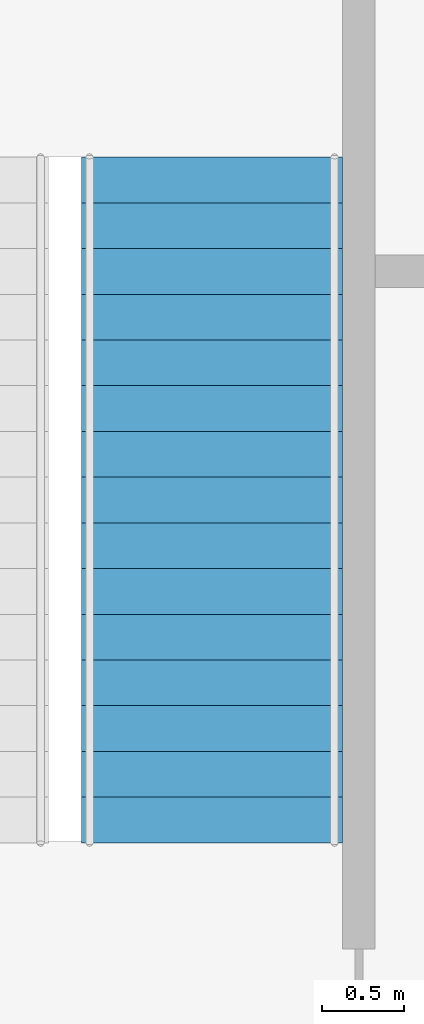
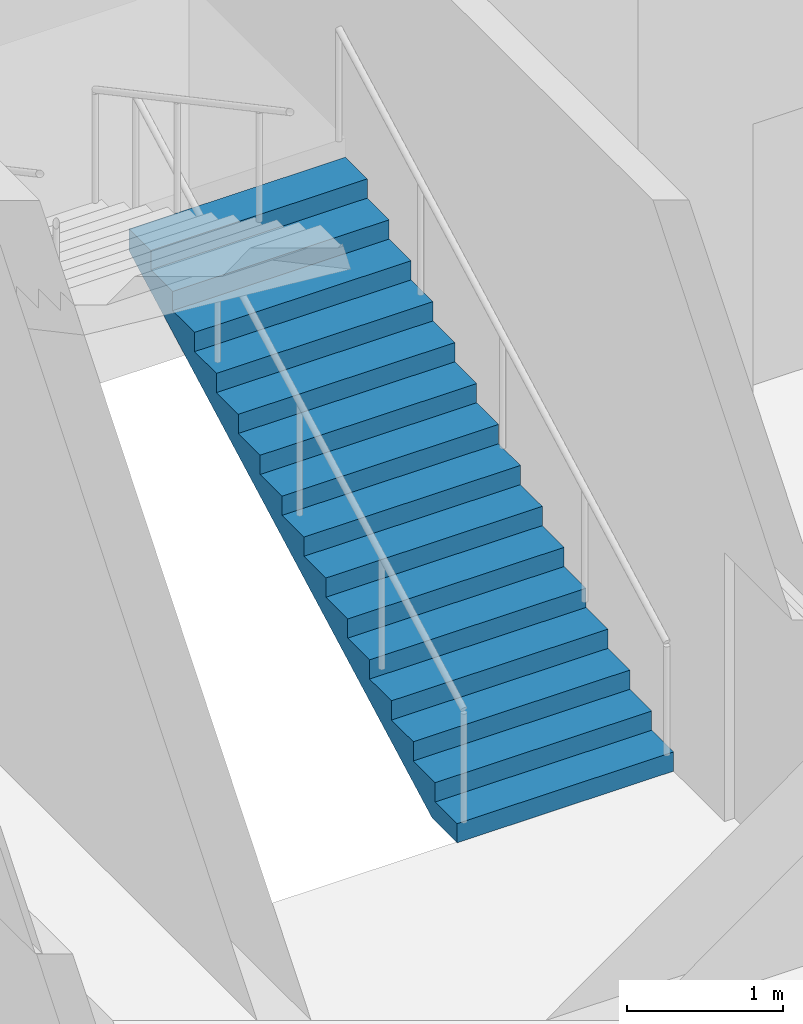
# One storey, part 46 of 53: 1 stair flight, 1 element without a shape of its own.
"""IFC4 building model written with IfcOpenShell, lengths in metres."""

import ifcopenshell
import ifcopenshell.guid

model = None  # the IFC model being written
_history = None  # IfcOwnerHistory: only IFC2X3 demands one
_inside = {}  # id of a spatial element -> (the spatial element, [elements in it])
_under = {}  # id of a project, library or spatial element -> (it, [spatial elements below it])
_declared = {}  # id of a project -> (the project, [libraries it declares])
_typed = {}  # id of a type object -> (the type object, [elements of that type])
_made_of = {}  # id of a material, layer set ... -> (it, [elements and type objects made of it])


def new_model(schema):
    """Start an empty IFC model of exactly this schema.

    Asked for "IFC4X3", IfcOpenShell would pick the latest addendum, in which some entities
    have other attributes; the version numbers below select the first issue.
    IFC2X3 requires an IfcOwnerHistory on every rooted entity: one is made here for all.
    """
    global model, _history
    if schema == "IFC4X3":
        model = ifcopenshell.file(schema_version=(4, 3, 0, 0))
    else:
        model = ifcopenshell.file(schema=schema)
    _inside.clear()
    _under.clear()
    _declared.clear()
    _typed.clear()
    _made_of.clear()
    _history = None
    if model.schema == "IFC2X3":
        org = make("IfcOrganization", Name="unknown")
        user = make(
            "IfcPersonAndOrganization",
            ThePerson=make("IfcPerson", FamilyName="unknown"),
            TheOrganization=org,
        )
        app = make(
            "IfcApplication",
            ApplicationDeveloper=org,
            Version="unknown",
            ApplicationFullName="unknown",
            ApplicationIdentifier="unknown",
        )
        _history = make(
            "IfcOwnerHistory",
            OwningUser=user,
            OwningApplication=app,
            ChangeAction="ADDED",
            CreationDate=0,
        )
    return model


def make(cls, **values):
    """One entity of the class cls with the attributes given. An attribute that is None is left unset."""
    return model.create_entity(
        cls, **{name: value for name, value in values.items() if value is not None}
    )


def rooted(cls, **values):
    """An entity with a GlobalId (a new one), such as an element, a storey or a relation."""
    return make(cls, GlobalId=ifcopenshell.guid.new(), OwnerHistory=_history, **values)


def si_unit(unit_type, name, prefix=None):
    """IfcSIUnit, for example si_unit("LENGTHUNIT", "METRE", prefix="MILLI")."""
    return make("IfcSIUnit", UnitType=unit_type, Prefix=prefix, Name=name)


def assignment(units):
    """IfcUnitAssignment: the units of a project."""
    return None if units is None else make("IfcUnitAssignment", Units=units)


def point(xyz):
    """IfcCartesianPoint."""
    return None if xyz is None else make("IfcCartesianPoint", Coordinates=xyz)


def direction(xyz):
    """IfcDirection."""
    return None if xyz is None else make("IfcDirection", DirectionRatios=xyz)


def frame(location, z_axis=None, x_axis=None):
    """IfcAxis2Placement3D, a coordinate frame: its origin and axes. An axis left out is left unset."""
    return make(
        "IfcAxis2Placement3D",
        Location=point(location),
        Axis=direction(z_axis),
        RefDirection=direction(x_axis),
    )


def origin():
    """The frame at (0, 0, 0) with its axes left unset."""
    return frame((0.0, 0.0, 0.0))


def place(relative_to, where):
    """IfcLocalPlacement: puts the frame where relative to a parent placement (None: the world)."""
    return make(
        "IfcLocalPlacement", PlacementRelTo=relative_to, RelativePlacement=where
    )


def context(
    kind, dimensions, precision=None, world=None, true_north=None, identifier=None
):
    """IfcGeometricRepresentationContext, for example the 3D "Model" context."""
    return make(
        "IfcGeometricRepresentationContext",
        ContextIdentifier=identifier,
        ContextType=kind,
        CoordinateSpaceDimension=dimensions,
        Precision=precision,
        WorldCoordinateSystem=world,
        TrueNorth=true_north,
    )


def subcontext(parent, identifier, kind, view, scale=None):
    """IfcGeometricRepresentationSubContext, for example "Body" below "Model"."""
    return make(
        "IfcGeometricRepresentationSubContext",
        ContextIdentifier=identifier,
        ContextType=kind,
        ParentContext=parent,
        TargetScale=scale,
        TargetView=view,
    )


def project(units=None, contexts=None):
    """IfcProject with its units and contexts."""
    return rooted(
        "IfcProject",
        Name="project",
        RepresentationContexts=contexts,
        UnitsInContext=assignment(units),
    )


def spatial(cls, under=None, at=None, **own):
    """A site, building, storey or space (cls), placed at a placement, below another one or the project."""
    s = rooted(cls, ObjectPlacement=at, **own)
    if under is not None:
        _under.setdefault(under.id(), (under, []))[1].append(s)
    return s


def point_list(points):
    """IfcCartesianPointList2D or 3D."""
    cls = (
        "IfcCartesianPointList2D" if len(points[0]) == 2 else "IfcCartesianPointList3D"
    )
    return make(cls, CoordList=points)


def triangles(points, corners, closed=None, point_numbers=None):
    """IfcTriangulatedFaceSet: each triangle names its three corners, points numbered from 1."""
    return make(
        "IfcTriangulatedFaceSet",
        Coordinates=point_list(points),
        Closed=closed,
        CoordIndex=corners,
        PnIndex=point_numbers,
    )


def shape(context_of_items, identifier, shape_type, items):
    """IfcShapeRepresentation: the items that make up one representation, for example the "Body"."""
    return make(
        "IfcShapeRepresentation",
        ContextOfItems=context_of_items,
        RepresentationIdentifier=identifier,
        RepresentationType=shape_type,
        Items=items,
    )


def material(Name=None, Category=None):
    """IfcMaterial."""
    return make("IfcMaterial", Name=Name, Category=Category)


def made_of(thing, what):
    """Note that an element or type object is made of a material, layer set ...; save() writes the relation."""
    if what is not None:
        _made_of.setdefault(what.id(), (what, []))[1].append(thing)
    return thing


def type_object(cls, material=None, **own):
    """A type object (cls), such as IfcWallType, which elements share."""
    return made_of(rooted(cls, **own), material)


def element(
    cls,
    number,
    at=None,
    inside=None,
    cuts=None,
    type_object=None,
    material=None,
    context=None,
    identifier="Body",
    shape_type=None,
    held_by="IfcProductDefinitionShape",
    body=None,
    shapes=None,
    **own,
):
    """One element of the class cls, such as IfcWall. Its Tag is "e" and its number.

    at: its placement. inside: the storey or other place that contains it. cuts: it is an
    opening in that element (IfcRelVoidsElement). A single representation is given by context,
    identifier, shape_type and body (its items); several are given by shapes. held_by: the class
    of the entity that holds the representations. save() writes the other relations.
    """
    e = rooted(cls, Tag="e%d" % number, ObjectPlacement=at, **own)
    if body is not None:
        shapes = [shape(context, identifier, shape_type, body)]
    if shapes is not None:
        e.Representation = make(held_by, Representations=shapes)
    if inside is not None:
        _inside.setdefault(inside.id(), (inside, []))[1].append(e)
    if cuts is not None:
        rooted(
            "IfcRelVoidsElement", RelatingBuildingElement=cuts, RelatedOpeningElement=e
        )
    if type_object is not None:
        _typed.setdefault(type_object.id(), (type_object, []))[1].append(e)
    return made_of(e, material)


def aggregate(whole, parts):
    """IfcRelAggregates: a whole, such as a stair, and the parts it consists of."""
    return rooted("IfcRelAggregates", RelatingObject=whole, RelatedObjects=parts)


def save(model, path):
    """Write the relations noted so far, then the file.

    IfcRelAggregates (storeys below a building ...), IfcRelContainedInSpatialStructure (elements
    in a storey), IfcRelDefinesByType, IfcRelAssociatesMaterial and IfcRelDeclares: one each for
    every whole, place, type object, material and project.
    """
    for whole, parts in _under.values():
        aggregate(whole, parts)
    for where, things in _inside.values():
        rooted(
            "IfcRelContainedInSpatialStructure",
            RelatedElements=things,
            RelatingStructure=where,
        )
    for kind, things in _typed.values():
        rooted("IfcRelDefinesByType", RelatedObjects=things, RelatingType=kind)
    for what, things in _made_of.values():
        rooted("IfcRelAssociatesMaterial", RelatedObjects=things, RelatingMaterial=what)
    for by, libraries in _declared.values():
        rooted("IfcRelDeclares", RelatingContext=by, RelatedDefinitions=libraries)
    model.write(path)


model = new_model("IFC4")

# Units and contexts
model_context = context("Model", 3, precision=1e-05, world=origin(), true_north=direction((0.0, 1.0)))
body_context = subcontext(model_context, "Body", "Model", "MODEL_VIEW")
ifc_project = project(units=[si_unit("LENGTHUNIT", "METRE"), si_unit("AREAUNIT", "SQUARE_METRE"), si_unit("VOLUMEUNIT", "CUBIC_METRE"), si_unit("PLANEANGLEUNIT", "RADIAN"), si_unit("MASSUNIT", "GRAM", prefix="KILO")], contexts=[model_context])

# Site, building, storey
site_placement = place(None, origin())
site = spatial("IfcSite", under=ifc_project, at=site_placement, CompositionType="ELEMENT")
building_placement = place(site_placement, origin())
building = spatial("IfcBuilding", under=site, at=building_placement, Name="Hakoniwa Tower and Hamabe Station Hall", CompositionType="ELEMENT")
storey_placement = place(building_placement, frame((0.0, 0.0, 15.0)))
storey = spatial("IfcBuildingStorey", under=building, at=storey_placement, Name="L03", CompositionType="ELEMENT", Elevation=15.0)

# Stair, stair flight
ifc_material_1 = material(Name="Concrete C40", Category="concrete")
stair_type = type_object("IfcStairType", Name="STAIR 1600 16X150", PredefinedType="HALF_TURN_STAIR", material=ifc_material_1)
stair_placement = place(storey_placement, origin())
stair = element("IfcStair", 1, at=stair_placement, inside=storey, type_object=stair_type, Name="Escape stair SS1 L03", PredefinedType="HALF_TURN_STAIR")
ifc_material_2 = material(Name="Concrete C40", Category="concrete")
stair_flight_type = type_object("IfcStairFlightType", Name="STAIR FLIGHT 1600", PredefinedType="STRAIGHT", material=ifc_material_2)
stair_flight_placement = place(storey_placement, frame((89.25, 16.89990234375, 0.0), z_axis=(0.0, 0.0, 1.0), x_axis=(0.0, 1.0, 0.0)))
stair_flight = element("IfcStairFlight", 2, at=stair_flight_placement, type_object=stair_flight_type, Name="SS1 flight 1", NumberOfRisers=16, NumberOfTreads=15, PredefinedType="STRAIGHT", RiserHeight=0.15, TreadLength=0.28, context=body_context, shape_type="Tessellation", body=[
    triangles([(0.0, 0.800048828125, 0.0), (0.280029296875, 0.800048828125, 0.0), (0.3173828125, 0.800048828125, 0.0), (0.56005859375, 0.800048828125, 0.1298828125), (0.840087890625, 0.800048828125, 0.280029296875), (1.1201171875, 0.800048828125, 0.429931640625), (1.39990234375, 0.800048828125, 0.579833984375), (1.679931640625, 0.800048828125, 0.72998046875), (1.9599609375, 0.800048828125, 0.8798828125), (2.239990234375, 0.800048828125, 1.030029296875), (2.52001953125, 0.800048828125, 1.179931640625), (2.800048828125, 0.800048828125, 1.329833984375), (3.080078125, 0.800048828125, 1.47998046875), (3.360107421875, 0.800048828125, 1.6298828125), (3.639892578125, 0.800048828125, 1.780029296875), (3.919921875, 0.800048828125, 1.929931640625), (4.199951171875, 0.800048828125, 2.079833984375), (4.199951171875, 0.800048828125, 2.25), (3.919921875, 0.800048828125, 2.25), (3.919921875, 0.800048828125, 2.10009765625), (3.639892578125, 0.800048828125, 2.10009765625), (3.639892578125, 0.800048828125, 1.949951171875), (3.360107421875, 0.800048828125, 1.949951171875), (3.360107421875, 0.800048828125, 1.800048828125), (3.080078125, 0.800048828125, 1.800048828125), (3.080078125, 0.800048828125, 1.64990234375), (2.800048828125, 0.800048828125, 1.64990234375), (2.800048828125, 0.800048828125, 1.5), (2.52001953125, 0.800048828125, 1.5), (2.52001953125, 0.800048828125, 1.35009765625), (2.239990234375, 0.800048828125, 1.35009765625), (2.239990234375, 0.800048828125, 1.199951171875), (1.9599609375, 0.800048828125, 1.199951171875), (1.9599609375, 0.800048828125, 1.050048828125), (1.679931640625, 0.800048828125, 1.050048828125), (1.679931640625, 0.800048828125, 0.89990234375), (1.39990234375, 0.800048828125, 0.89990234375), (1.39990234375, 0.800048828125, 0.75), (1.1201171875, 0.800048828125, 0.75), (1.1201171875, 0.800048828125, 0.60009765625), (0.840087890625, 0.800048828125, 0.60009765625), (0.840087890625, 0.800048828125, 0.449951171875), (0.56005859375, 0.800048828125, 0.449951171875), (0.56005859375, 0.800048828125, 0.300048828125), (0.3173828125, 0.800048828125, 0.300048828125), (0.280029296875, 0.800048828125, 0.300048828125), (0.280029296875, 0.800048828125, 0.14990234375), (0.0, 0.800048828125, 0.14990234375), (0.0, 0.06005859375, 0.0), (0.280029296875, 0.06005859375, 0.0), (0.3173828125, 0.06005859375, 0.0), (0.56005859375, 0.06005859375, 0.1298828125), (0.840087890625, 0.06005859375, 0.280029296875), (1.1201171875, 0.06005859375, 0.429931640625), (1.39990234375, 0.06005859375, 0.579833984375), (1.679931640625, 0.06005859375, 0.72998046875), (1.9599609375, 0.06005859375, 0.8798828125), (2.239990234375, 0.06005859375, 1.030029296875), (2.52001953125, 0.06005859375, 1.179931640625), (2.800048828125, 0.06005859375, 1.329833984375), (3.080078125, 0.06005859375, 1.47998046875), (3.360107421875, 0.06005859375, 1.6298828125), (3.639892578125, 0.06005859375, 1.780029296875), (3.919921875, 0.06005859375, 1.929931640625), (4.199951171875, 0.06005859375, 2.079833984375), (4.199951171875, 0.06005859375, 2.25), (3.919921875, 0.06005859375, 2.25), (3.919921875, 0.06005859375, 2.10009765625), (3.639892578125, 0.06005859375, 2.10009765625), (3.639892578125, 0.06005859375, 1.949951171875), (3.360107421875, 0.06005859375, 1.949951171875), (3.360107421875, 0.06005859375, 1.800048828125), (3.080078125, 0.06005859375, 1.800048828125), (3.080078125, 0.06005859375, 1.64990234375), (2.800048828125, 0.06005859375, 1.64990234375), (2.800048828125, 0.06005859375, 1.5), (2.52001953125, 0.06005859375, 1.5), (2.52001953125, 0.06005859375, 1.35009765625), (2.239990234375, 0.06005859375, 1.35009765625), (2.239990234375, 0.06005859375, 1.199951171875), (1.9599609375, 0.06005859375, 1.199951171875), (1.9599609375, 0.06005859375, 1.050048828125), (1.679931640625, 0.06005859375, 1.050048828125), (1.679931640625, 0.06005859375, 0.89990234375), (1.39990234375, 0.06005859375, 0.89990234375), (1.39990234375, 0.06005859375, 0.75), (1.1201171875, 0.06005859375, 0.75), (1.1201171875, 0.06005859375, 0.60009765625), (0.840087890625, 0.06005859375, 0.60009765625), (0.840087890625, 0.06005859375, 0.449951171875), (0.56005859375, 0.06005859375, 0.449951171875), (0.56005859375, 0.06005859375, 0.300048828125), (0.3173828125, 0.06005859375, 0.300048828125), (0.280029296875, 0.06005859375, 0.300048828125), (0.280029296875, 0.06005859375, 0.14990234375), (0.0, 0.06005859375, 0.14990234375), (0.0, 0.02001953125, 0.0), (0.280029296875, 0.02001953125, 0.0), (0.3173828125, 0.02001953125, 0.0), (0.56005859375, 0.02001953125, 0.1298828125), (0.840087890625, 0.02001953125, 0.280029296875), (1.1201171875, 0.02001953125, 0.429931640625), (1.39990234375, 0.02001953125, 0.579833984375), (1.679931640625, 0.02001953125, 0.72998046875), (1.9599609375, 0.02001953125, 0.8798828125), (2.239990234375, 0.02001953125, 1.030029296875), (2.52001953125, 0.02001953125, 1.179931640625), (2.800048828125, 0.02001953125, 1.329833984375), (3.080078125, 0.02001953125, 1.47998046875), (3.360107421875, 0.02001953125, 1.6298828125), (3.639892578125, 0.02001953125, 1.780029296875), (3.919921875, 0.02001953125, 1.929931640625), (4.199951171875, 0.02001953125, 2.079833984375), (4.199951171875, 0.02001953125, 2.25), (3.919921875, 0.02001953125, 2.25), (3.919921875, 0.02001953125, 2.10009765625), (3.639892578125, 0.02001953125, 2.10009765625), (3.639892578125, 0.02001953125, 1.949951171875), (3.360107421875, 0.02001953125, 1.949951171875), (3.360107421875, 0.02001953125, 1.800048828125), (3.080078125, 0.02001953125, 1.800048828125), (3.080078125, 0.02001953125, 1.64990234375), (2.800048828125, 0.02001953125, 1.64990234375), (2.800048828125, 0.02001953125, 1.5), (2.52001953125, 0.02001953125, 1.5), (2.52001953125, 0.02001953125, 1.35009765625), (2.239990234375, 0.02001953125, 1.35009765625), (2.239990234375, 0.02001953125, 1.199951171875), (1.9599609375, 0.02001953125, 1.199951171875), (1.9599609375, 0.02001953125, 1.050048828125), (1.679931640625, 0.02001953125, 1.050048828125), (1.679931640625, 0.02001953125, 0.89990234375), (1.39990234375, 0.02001953125, 0.89990234375), (1.39990234375, 0.02001953125, 0.75), (1.1201171875, 0.02001953125, 0.75), (1.1201171875, 0.02001953125, 0.60009765625), (0.840087890625, 0.02001953125, 0.60009765625), (0.840087890625, 0.02001953125, 0.449951171875), (0.56005859375, 0.02001953125, 0.449951171875), (0.56005859375, 0.02001953125, 0.300048828125), (0.3173828125, 0.02001953125, 0.300048828125), (0.280029296875, 0.02001953125, 0.300048828125), (0.280029296875, 0.02001953125, 0.14990234375), (0.0, 0.02001953125, 0.14990234375), (0.0, -0.02001953125, 0.0), (0.280029296875, -0.02001953125, 0.0), (0.3173828125, -0.02001953125, 0.0), (0.56005859375, -0.02001953125, 0.1298828125), (0.840087890625, -0.02001953125, 0.280029296875), (1.1201171875, -0.02001953125, 0.429931640625), (1.39990234375, -0.02001953125, 0.579833984375), (1.679931640625, -0.02001953125, 0.72998046875), (1.9599609375, -0.02001953125, 0.8798828125), (2.239990234375, -0.02001953125, 1.030029296875), (2.52001953125, -0.02001953125, 1.179931640625), (2.800048828125, -0.02001953125, 1.329833984375), (3.080078125, -0.02001953125, 1.47998046875), (3.360107421875, -0.02001953125, 1.6298828125), (3.639892578125, -0.02001953125, 1.780029296875), (3.919921875, -0.02001953125, 1.929931640625), (4.199951171875, -0.02001953125, 2.079833984375), (4.199951171875, -0.02001953125, 2.25), (3.919921875, -0.02001953125, 2.25), (3.919921875, -0.02001953125, 2.10009765625), (3.639892578125, -0.02001953125, 2.10009765625), (3.639892578125, -0.02001953125, 1.949951171875), (3.360107421875, -0.02001953125, 1.949951171875), (3.360107421875, -0.02001953125, 1.800048828125), (3.080078125, -0.02001953125, 1.800048828125), (3.080078125, -0.02001953125, 1.64990234375), (2.800048828125, -0.02001953125, 1.64990234375), (2.800048828125, -0.02001953125, 1.5), (2.52001953125, -0.02001953125, 1.5), (2.52001953125, -0.02001953125, 1.35009765625), (2.239990234375, -0.02001953125, 1.35009765625), (2.239990234375, -0.02001953125, 1.199951171875), (1.9599609375, -0.02001953125, 1.199951171875), (1.9599609375, -0.02001953125, 1.050048828125), (1.679931640625, -0.02001953125, 1.050048828125), (1.679931640625, -0.02001953125, 0.89990234375), (1.39990234375, -0.02001953125, 0.89990234375), (1.39990234375, -0.02001953125, 0.75), (1.1201171875, -0.02001953125, 0.75), (1.1201171875, -0.02001953125, 0.60009765625), (0.840087890625, -0.02001953125, 0.60009765625), (0.840087890625, -0.02001953125, 0.449951171875), (0.56005859375, -0.02001953125, 0.449951171875), (0.56005859375, -0.02001953125, 0.300048828125), (0.3173828125, -0.02001953125, 0.300048828125), (0.280029296875, -0.02001953125, 0.300048828125), (0.280029296875, -0.02001953125, 0.14990234375), (0.0, -0.02001953125, 0.14990234375), (0.0, -0.06005859375, 0.0), (0.280029296875, -0.06005859375, 0.0), (0.3173828125, -0.06005859375, 0.0), (0.56005859375, -0.06005859375, 0.1298828125), (0.840087890625, -0.06005859375, 0.280029296875), (1.1201171875, -0.06005859375, 0.429931640625), (1.39990234375, -0.06005859375, 0.579833984375), (1.679931640625, -0.06005859375, 0.72998046875), (1.9599609375, -0.06005859375, 0.8798828125), (2.239990234375, -0.06005859375, 1.030029296875), (2.52001953125, -0.06005859375, 1.179931640625), (2.800048828125, -0.06005859375, 1.329833984375), (3.080078125, -0.06005859375, 1.47998046875), (3.360107421875, -0.06005859375, 1.6298828125), (3.639892578125, -0.06005859375, 1.780029296875), (3.919921875, -0.06005859375, 1.929931640625), (4.199951171875, -0.06005859375, 2.079833984375), (4.199951171875, -0.06005859375, 2.25), (3.919921875, -0.06005859375, 2.25), (3.919921875, -0.06005859375, 2.10009765625), (3.639892578125, -0.06005859375, 2.10009765625), (3.639892578125, -0.06005859375, 1.949951171875), (3.360107421875, -0.06005859375, 1.949951171875), (3.360107421875, -0.06005859375, 1.800048828125), (3.080078125, -0.06005859375, 1.800048828125), (3.080078125, -0.06005859375, 1.64990234375), (2.800048828125, -0.06005859375, 1.64990234375), (2.800048828125, -0.06005859375, 1.5), (2.52001953125, -0.06005859375, 1.5), (2.52001953125, -0.06005859375, 1.35009765625), (2.239990234375, -0.06005859375, 1.35009765625), (2.239990234375, -0.06005859375, 1.199951171875), (1.9599609375, -0.06005859375, 1.199951171875), (1.9599609375, -0.06005859375, 1.050048828125), (1.679931640625, -0.06005859375, 1.050048828125), (1.679931640625, -0.06005859375, 0.89990234375), (1.39990234375, -0.06005859375, 0.89990234375), (1.39990234375, -0.06005859375, 0.75), (1.1201171875, -0.06005859375, 0.75), (1.1201171875, -0.06005859375, 0.60009765625), (0.840087890625, -0.06005859375, 0.60009765625), (0.840087890625, -0.06005859375, 0.449951171875), (0.56005859375, -0.06005859375, 0.449951171875), (0.56005859375, -0.06005859375, 0.300048828125), (0.3173828125, -0.06005859375, 0.300048828125), (0.280029296875, -0.06005859375, 0.300048828125), (0.280029296875, -0.06005859375, 0.14990234375), (0.0, -0.06005859375, 0.14990234375), (0.0, -0.800048828125, 0.0), (0.280029296875, -0.800048828125, 0.0), (0.3173828125, -0.800048828125, 0.0), (0.56005859375, -0.800048828125, 0.1298828125), (0.840087890625, -0.800048828125, 0.280029296875), (1.1201171875, -0.800048828125, 0.429931640625), (1.39990234375, -0.800048828125, 0.579833984375), (1.679931640625, -0.800048828125, 0.72998046875), (1.9599609375, -0.800048828125, 0.8798828125), (2.239990234375, -0.800048828125, 1.030029296875), (2.52001953125, -0.800048828125, 1.179931640625), (2.800048828125, -0.800048828125, 1.329833984375), (3.080078125, -0.800048828125, 1.47998046875), (3.360107421875, -0.800048828125, 1.6298828125), (3.639892578125, -0.800048828125, 1.780029296875), (3.919921875, -0.800048828125, 1.929931640625), (4.199951171875, -0.800048828125, 2.079833984375), (4.199951171875, -0.800048828125, 2.25), (3.919921875, -0.800048828125, 2.25), (3.919921875, -0.800048828125, 2.10009765625), (3.639892578125, -0.800048828125, 2.10009765625), (3.639892578125, -0.800048828125, 1.949951171875), (3.360107421875, -0.800048828125, 1.949951171875), (3.360107421875, -0.800048828125, 1.800048828125), (3.080078125, -0.800048828125, 1.800048828125), (3.080078125, -0.800048828125, 1.64990234375), (2.800048828125, -0.800048828125, 1.64990234375), (2.800048828125, -0.800048828125, 1.5), (2.52001953125, -0.800048828125, 1.5), (2.52001953125, -0.800048828125, 1.35009765625), (2.239990234375, -0.800048828125, 1.35009765625), (2.239990234375, -0.800048828125, 1.199951171875), (1.9599609375, -0.800048828125, 1.199951171875), (1.9599609375, -0.800048828125, 1.050048828125), (1.679931640625, -0.800048828125, 1.050048828125), (1.679931640625, -0.800048828125, 0.89990234375), (1.39990234375, -0.800048828125, 0.89990234375), (1.39990234375, -0.800048828125, 0.75), (1.1201171875, -0.800048828125, 0.75), (1.1201171875, -0.800048828125, 0.60009765625), (0.840087890625, -0.800048828125, 0.60009765625), (0.840087890625, -0.800048828125, 0.449951171875), (0.56005859375, -0.800048828125, 0.449951171875), (0.56005859375, -0.800048828125, 0.300048828125), (0.3173828125, -0.800048828125, 0.300048828125), (0.280029296875, -0.800048828125, 0.300048828125), (0.280029296875, -0.800048828125, 0.14990234375), (0.0, -0.800048828125, 0.14990234375)], [[2, 48, 47], [242, 287, 288], [2, 1, 48], [242, 288, 241], [3, 46, 45], [243, 285, 286], [3, 47, 46], [243, 286, 287], [3, 2, 47], [243, 287, 242], [4, 45, 44], [244, 284, 285], [4, 3, 45], [244, 285, 243], [5, 43, 42], [245, 282, 283], [5, 44, 43], [245, 283, 284], [5, 4, 44], [245, 284, 244], [6, 41, 40], [246, 280, 281], [6, 42, 41], [246, 281, 282], [6, 5, 42], [246, 282, 245], [7, 39, 38], [247, 278, 279], [7, 40, 39], [247, 279, 280], [7, 6, 40], [247, 280, 246], [8, 37, 36], [248, 276, 277], [8, 38, 37], [248, 277, 278], [8, 7, 38], [248, 278, 247], [9, 35, 34], [249, 274, 275], [9, 36, 35], [249, 275, 276], [9, 8, 36], [249, 276, 248], [10, 33, 32], [250, 272, 273], [10, 34, 33], [250, 273, 274], [10, 9, 34], [250, 274, 249], [11, 31, 30], [251, 270, 271], [11, 32, 31], [251, 271, 272], [11, 10, 32], [251, 272, 250], [12, 29, 28], [252, 268, 269], [12, 30, 29], [252, 269, 270], [12, 11, 30], [252, 270, 251], [13, 27, 26], [253, 266, 267], [13, 28, 27], [253, 267, 268], [13, 12, 28], [253, 268, 252], [14, 25, 24], [254, 264, 265], [14, 26, 25], [254, 265, 266], [14, 13, 26], [254, 266, 253], [15, 23, 22], [255, 262, 263], [15, 24, 23], [255, 263, 264], [15, 14, 24], [255, 264, 254], [16, 21, 20], [256, 260, 261], [16, 22, 21], [256, 261, 262], [16, 15, 22], [256, 262, 255], [17, 19, 18], [257, 258, 259], [17, 20, 19], [257, 259, 260], [17, 16, 20], [257, 260, 256], [1, 2, 50], [1, 50, 49], [49, 50, 98], [49, 98, 97], [97, 98, 146], [97, 146, 145], [145, 146, 194], [145, 194, 193], [193, 194, 242], [193, 242, 241], [2, 3, 51], [2, 51, 50], [50, 51, 99], [50, 99, 98], [98, 99, 147], [98, 147, 146], [146, 147, 195], [146, 195, 194], [194, 195, 243], [194, 243, 242], [3, 4, 52], [3, 52, 51], [51, 52, 100], [51, 100, 99], [99, 100, 148], [99, 148, 147], [147, 148, 196], [147, 196, 195], [195, 196, 244], [195, 244, 243], [4, 5, 53], [4, 53, 52], [52, 53, 101], [52, 101, 100], [100, 101, 149], [100, 149, 148], [148, 149, 197], [148, 197, 196], [196, 197, 245], [196, 245, 244], [5, 6, 54], [5, 54, 53], [53, 54, 102], [53, 102, 101], [101, 102, 150], [101, 150, 149], [149, 150, 198], [149, 198, 197], [197, 198, 246], [197, 246, 245], [6, 7, 55], [6, 55, 54], [54, 55, 103], [54, 103, 102], [102, 103, 151], [102, 151, 150], [150, 151, 199], [150, 199, 198], [198, 199, 247], [198, 247, 246], [7, 8, 56], [7, 56, 55], [55, 56, 104], [55, 104, 103], [103, 104, 152], [103, 152, 151], [151, 152, 200], [151, 200, 199], [199, 200, 248], [199, 248, 247], [8, 9, 57], [8, 57, 56], [56, 57, 105], [56, 105, 104], [104, 105, 153], [104, 153, 152], [152, 153, 201], [152, 201, 200], [200, 201, 249], [200, 249, 248], [9, 10, 58], [9, 58, 57], [57, 58, 106], [57, 106, 105], [105, 106, 154], [105, 154, 153], [153, 154, 202], [153, 202, 201], [201, 202, 250], [201, 250, 249], [10, 11, 59], [10, 59, 58], [58, 59, 107], [58, 107, 106], [106, 107, 155], [106, 155, 154], [154, 155, 203], [154, 203, 202], [202, 203, 251], [202, 251, 250], [11, 12, 60], [11, 60, 59], [59, 60, 108], [59, 108, 107], [107, 108, 156], [107, 156, 155], [155, 156, 204], [155, 204, 203], [203, 204, 252], [203, 252, 251], [12, 13, 61], [12, 61, 60], [60, 61, 109], [60, 109, 108], [108, 109, 157], [108, 157, 156], [156, 157, 205], [156, 205, 204], [204, 205, 253], [204, 253, 252], [13, 14, 62], [13, 62, 61], [61, 62, 110], [61, 110, 109], [109, 110, 158], [109, 158, 157], [157, 158, 206], [157, 206, 205], [205, 206, 254], [205, 254, 253], [14, 15, 63], [14, 63, 62], [62, 63, 111], [62, 111, 110], [110, 111, 159], [110, 159, 158], [158, 159, 207], [158, 207, 206], [206, 207, 255], [206, 255, 254], [15, 16, 64], [15, 64, 63], [63, 64, 112], [63, 112, 111], [111, 112, 160], [111, 160, 159], [159, 160, 208], [159, 208, 207], [207, 208, 256], [207, 256, 255], [16, 17, 65], [16, 65, 64], [64, 65, 113], [64, 113, 112], [112, 113, 161], [112, 161, 160], [160, 161, 209], [160, 209, 208], [208, 209, 257], [208, 257, 256], [17, 18, 66], [17, 66, 65], [65, 66, 114], [65, 114, 113], [113, 114, 162], [113, 162, 161], [161, 162, 210], [161, 210, 209], [209, 210, 258], [209, 258, 257], [18, 19, 67], [18, 67, 66], [66, 67, 115], [66, 115, 114], [114, 115, 163], [114, 163, 162], [162, 163, 211], [162, 211, 210], [210, 211, 259], [210, 259, 258], [19, 20, 68], [19, 68, 67], [67, 68, 116], [67, 116, 115], [115, 116, 164], [115, 164, 163], [163, 164, 212], [163, 212, 211], [211, 212, 260], [211, 260, 259], [20, 21, 69], [20, 69, 68], [68, 69, 117], [68, 117, 116], [116, 117, 165], [116, 165, 164], [164, 165, 213], [164, 213, 212], [212, 213, 261], [212, 261, 260], [21, 22, 70], [21, 70, 69], [69, 70, 118], [69, 118, 117], [117, 118, 166], [117, 166, 165], [165, 166, 214], [165, 214, 213], [213, 214, 262], [213, 262, 261], [22, 23, 71], [22, 71, 70], [70, 71, 119], [70, 119, 118], [118, 119, 167], [118, 167, 166], [166, 167, 215], [166, 215, 214], [214, 215, 263], [214, 263, 262], [23, 24, 72], [23, 72, 71], [71, 72, 120], [71, 120, 119], [119, 120, 168], [119, 168, 167], [167, 168, 216], [167, 216, 215], [215, 216, 264], [215, 264, 263], [24, 25, 73], [24, 73, 72], [72, 73, 121], [72, 121, 120], [120, 121, 169], [120, 169, 168], [168, 169, 217], [168, 217, 216], [216, 217, 265], [216, 265, 264], [25, 26, 74], [25, 74, 73], [73, 74, 122], [73, 122, 121], [121, 122, 170], [121, 170, 169], [169, 170, 218], [169, 218, 217], [217, 218, 266], [217, 266, 265], [26, 27, 75], [26, 75, 74], [74, 75, 123], [74, 123, 122], [122, 123, 171], [122, 171, 170], [170, 171, 219], [170, 219, 218], [218, 219, 267], [218, 267, 266], [27, 28, 76], [27, 76, 75], [75, 76, 124], [75, 124, 123], [123, 124, 172], [123, 172, 171], [171, 172, 220], [171, 220, 219], [219, 220, 268], [219, 268, 267], [28, 29, 77], [28, 77, 76], [76, 77, 125], [76, 125, 124], [124, 125, 173], [124, 173, 172], [172, 173, 221], [172, 221, 220], [220, 221, 269], [220, 269, 268], [29, 30, 78], [29, 78, 77], [77, 78, 126], [77, 126, 125], [125, 126, 174], [125, 174, 173], [173, 174, 222], [173, 222, 221], [221, 222, 270], [221, 270, 269], [30, 31, 79], [30, 79, 78], [78, 79, 127], [78, 127, 126], [126, 127, 175], [126, 175, 174], [174, 175, 223], [174, 223, 222], [222, 223, 271], [222, 271, 270], [31, 32, 80], [31, 80, 79], [79, 80, 128], [79, 128, 127], [127, 128, 176], [127, 176, 175], [175, 176, 224], [175, 224, 223], [223, 224, 272], [223, 272, 271], [32, 33, 81], [32, 81, 80], [80, 81, 129], [80, 129, 128], [128, 129, 177], [128, 177, 176], [176, 177, 225], [176, 225, 224], [224, 225, 273], [224, 273, 272], [33, 34, 82], [33, 82, 81], [81, 82, 130], [81, 130, 129], [129, 130, 178], [129, 178, 177], [177, 178, 226], [177, 226, 225], [225, 226, 274], [225, 274, 273], [34, 35, 83], [34, 83, 82], [82, 83, 131], [82, 131, 130], [130, 131, 179], [130, 179, 178], [178, 179, 227], [178, 227, 226], [226, 227, 275], [226, 275, 274], [35, 36, 84], [35, 84, 83], [83, 84, 132], [83, 132, 131], [131, 132, 180], [131, 180, 179], [179, 180, 228], [179, 228, 227], [227, 228, 276], [227, 276, 275], [36, 37, 85], [36, 85, 84], [84, 85, 133], [84, 133, 132], [132, 133, 181], [132, 181, 180], [180, 181, 229], [180, 229, 228], [228, 229, 277], [228, 277, 276], [37, 38, 86], [37, 86, 85], [85, 86, 134], [85, 134, 133], [133, 134, 182], [133, 182, 181], [181, 182, 230], [181, 230, 229], [229, 230, 278], [229, 278, 277], [38, 39, 87], [38, 87, 86], [86, 87, 135], [86, 135, 134], [134, 135, 183], [134, 183, 182], [182, 183, 231], [182, 231, 230], [230, 231, 279], [230, 279, 278], [39, 40, 88], [39, 88, 87], [87, 88, 136], [87, 136, 135], [135, 136, 184], [135, 184, 183], [183, 184, 232], [183, 232, 231], [231, 232, 280], [231, 280, 279], [40, 41, 89], [40, 89, 88], [88, 89, 137], [88, 137, 136], [136, 137, 185], [136, 185, 184], [184, 185, 233], [184, 233, 232], [232, 233, 281], [232, 281, 280], [41, 42, 90], [41, 90, 89], [89, 90, 138], [89, 138, 137], [137, 138, 186], [137, 186, 185], [185, 186, 234], [185, 234, 233], [233, 234, 282], [233, 282, 281], [42, 43, 91], [42, 91, 90], [90, 91, 139], [90, 139, 138], [138, 139, 187], [138, 187, 186], [186, 187, 235], [186, 235, 234], [234, 235, 283], [234, 283, 282], [43, 44, 92], [43, 92, 91], [91, 92, 140], [91, 140, 139], [139, 140, 188], [139, 188, 187], [187, 188, 236], [187, 236, 235], [235, 236, 284], [235, 284, 283], [44, 45, 93], [44, 93, 92], [92, 93, 141], [92, 141, 140], [140, 141, 189], [140, 189, 188], [188, 189, 237], [188, 237, 236], [236, 237, 285], [236, 285, 284], [45, 46, 94], [45, 94, 93], [93, 94, 142], [93, 142, 141], [141, 142, 190], [141, 190, 189], [189, 190, 238], [189, 238, 237], [237, 238, 286], [237, 286, 285], [46, 47, 95], [46, 95, 94], [94, 95, 143], [94, 143, 142], [142, 143, 191], [142, 191, 190], [190, 191, 239], [190, 239, 238], [238, 239, 287], [238, 287, 286], [47, 48, 96], [47, 96, 95], [95, 96, 144], [95, 144, 143], [143, 144, 192], [143, 192, 191], [191, 192, 240], [191, 240, 239], [239, 240, 288], [239, 288, 287], [48, 1, 49], [48, 49, 96], [96, 49, 97], [96, 97, 144], [144, 97, 145], [144, 145, 192], [192, 145, 193], [192, 193, 240], [240, 193, 241], [240, 241, 288]], closed=True),
])
aggregate(stair, [stair_flight])

save(model, "model.ifc")
